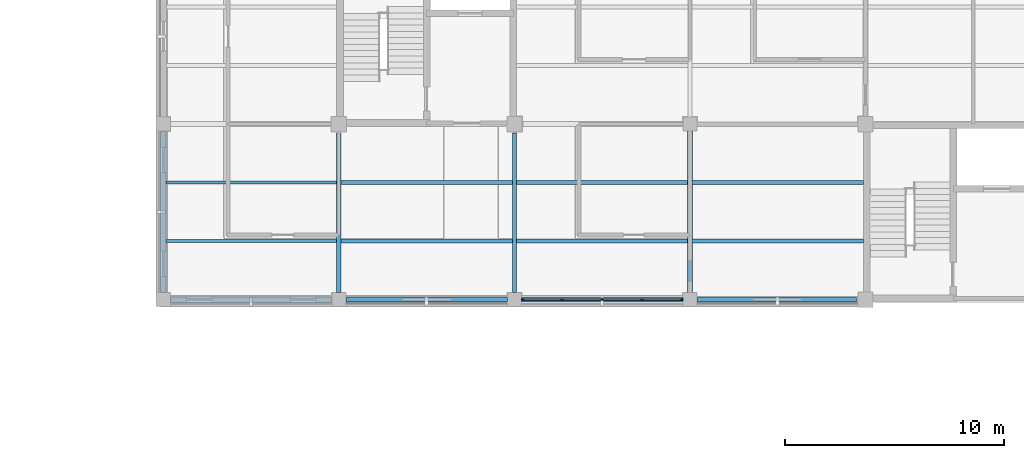
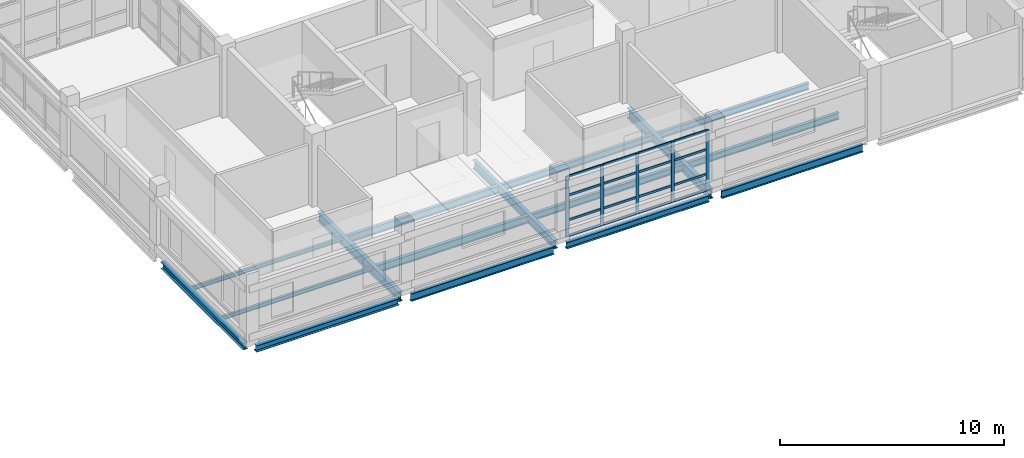
# One storey, part 49 of 107: 21 members, 16 beams, 1 element without a shape of its own.
"""IFC4 building model written with IfcOpenShell, lengths in metres."""

import ifcopenshell
import ifcopenshell.guid

model = None  # the IFC model being written
_history = None  # IfcOwnerHistory: only IFC2X3 demands one
_inside = {}  # id of a spatial element -> (the spatial element, [elements in it])
_under = {}  # id of a project, library or spatial element -> (it, [spatial elements below it])
_declared = {}  # id of a project -> (the project, [libraries it declares])
_typed = {}  # id of a type object -> (the type object, [elements of that type])
_made_of = {}  # id of a material, layer set ... -> (it, [elements and type objects made of it])


def new_model(schema):
    """Start an empty IFC model of exactly this schema.

    Asked for "IFC4X3", IfcOpenShell would pick the latest addendum, in which some entities
    have other attributes; the version numbers below select the first issue.
    IFC2X3 requires an IfcOwnerHistory on every rooted entity: one is made here for all.
    """
    global model, _history
    if schema == "IFC4X3":
        model = ifcopenshell.file(schema_version=(4, 3, 0, 0))
    else:
        model = ifcopenshell.file(schema=schema)
    _inside.clear()
    _under.clear()
    _declared.clear()
    _typed.clear()
    _made_of.clear()
    _history = None
    if model.schema == "IFC2X3":
        org = make("IfcOrganization", Name="unknown")
        user = make(
            "IfcPersonAndOrganization",
            ThePerson=make("IfcPerson", FamilyName="unknown"),
            TheOrganization=org,
        )
        app = make(
            "IfcApplication",
            ApplicationDeveloper=org,
            Version="unknown",
            ApplicationFullName="unknown",
            ApplicationIdentifier="unknown",
        )
        _history = make(
            "IfcOwnerHistory",
            OwningUser=user,
            OwningApplication=app,
            ChangeAction="ADDED",
            CreationDate=0,
        )
    return model


def make(cls, **values):
    """One entity of the class cls with the attributes given. An attribute that is None is left unset."""
    return model.create_entity(
        cls, **{name: value for name, value in values.items() if value is not None}
    )


def rooted(cls, **values):
    """An entity with a GlobalId (a new one), such as an element, a storey or a relation."""
    return make(cls, GlobalId=ifcopenshell.guid.new(), OwnerHistory=_history, **values)


def si_unit(unit_type, name, prefix=None):
    """IfcSIUnit, for example si_unit("LENGTHUNIT", "METRE", prefix="MILLI")."""
    return make("IfcSIUnit", UnitType=unit_type, Prefix=prefix, Name=name)


def derived_unit(unit_type, elements):
    """IfcDerivedUnit: a product of units, each with its exponent."""
    return make(
        "IfcDerivedUnit",
        Elements=[
            make("IfcDerivedUnitElement", Unit=unit, Exponent=power)
            for unit, power in elements
        ],
        UnitType=unit_type,
    )


def assignment(units):
    """IfcUnitAssignment: the units of a project."""
    return None if units is None else make("IfcUnitAssignment", Units=units)


def point(xyz):
    """IfcCartesianPoint."""
    return None if xyz is None else make("IfcCartesianPoint", Coordinates=xyz)


def direction(xyz):
    """IfcDirection."""
    return None if xyz is None else make("IfcDirection", DirectionRatios=xyz)


def frame(location, z_axis=None, x_axis=None):
    """IfcAxis2Placement3D, a coordinate frame: its origin and axes. An axis left out is left unset."""
    return make(
        "IfcAxis2Placement3D",
        Location=point(location),
        Axis=direction(z_axis),
        RefDirection=direction(x_axis),
    )


def frame_2d(location, x_axis=None):
    """IfcAxis2Placement2D, a coordinate frame in the plane: its origin and x axis."""
    return make(
        "IfcAxis2Placement2D", Location=point(location), RefDirection=direction(x_axis)
    )


def origin():
    """The frame at (0, 0, 0) with its axes left unset."""
    return frame((0.0, 0.0, 0.0))


def origin_2d():
    """The frame at (0, 0) in the plane with its x axis left unset."""
    return frame_2d((0.0, 0.0))


def place(relative_to, where):
    """IfcLocalPlacement: puts the frame where relative to a parent placement (None: the world)."""
    return make(
        "IfcLocalPlacement", PlacementRelTo=relative_to, RelativePlacement=where
    )


def context(
    kind, dimensions, precision=None, world=None, true_north=None, identifier=None
):
    """IfcGeometricRepresentationContext, for example the 3D "Model" context."""
    return make(
        "IfcGeometricRepresentationContext",
        ContextIdentifier=identifier,
        ContextType=kind,
        CoordinateSpaceDimension=dimensions,
        Precision=precision,
        WorldCoordinateSystem=world,
        TrueNorth=true_north,
    )


def subcontext(parent, identifier, kind, view, scale=None):
    """IfcGeometricRepresentationSubContext, for example "Body" below "Model"."""
    return make(
        "IfcGeometricRepresentationSubContext",
        ContextIdentifier=identifier,
        ContextType=kind,
        ParentContext=parent,
        TargetScale=scale,
        TargetView=view,
    )


def project(units=None, contexts=None):
    """IfcProject with its units and contexts."""
    return rooted(
        "IfcProject",
        Name="project",
        RepresentationContexts=contexts,
        UnitsInContext=assignment(units),
    )


def spatial(cls, under=None, at=None, **own):
    """A site, building, storey or space (cls), placed at a placement, below another one or the project."""
    s = rooted(cls, ObjectPlacement=at, **own)
    if under is not None:
        _under.setdefault(under.id(), (under, []))[1].append(s)
    return s


def profile(cls, at=None, kind="AREA", **sizes):
    """A parametric profile (cls). Its sizes go by their IFC names, for example OverallWidth=200.0."""
    return make(cls, ProfileType=kind, Position=at, **sizes)


def rectangle(**sizes):
    """IfcRectangleProfileDef."""
    return profile("IfcRectangleProfileDef", **sizes)


def i_section(**sizes):
    """IfcIShapeProfileDef."""
    return profile("IfcIShapeProfileDef", **sizes)


def extrude(swept, where, along, depth):
    """IfcExtrudedAreaSolid: the profile swept, set in the frame where, extruded along a direction by depth."""
    return make(
        "IfcExtrudedAreaSolid",
        SweptArea=swept,
        Position=where,
        ExtrudedDirection=direction(along),
        Depth=depth,
    )


def shape(context_of_items, identifier, shape_type, items):
    """IfcShapeRepresentation: the items that make up one representation, for example the "Body"."""
    return make(
        "IfcShapeRepresentation",
        ContextOfItems=context_of_items,
        RepresentationIdentifier=identifier,
        RepresentationType=shape_type,
        Items=items,
    )


def material(Name=None, Category=None):
    """IfcMaterial."""
    return make("IfcMaterial", Name=Name, Category=Category)


def layer(
    of_material, thickness, ventilated=None, Name=None, Category=None, Priority=None
):
    """IfcMaterialLayer: one layer of a wall or slab, of a material (None: an air gap)."""
    return make(
        "IfcMaterialLayer",
        Material=of_material,
        LayerThickness=thickness,
        IsVentilated=ventilated,
        Name=Name,
        Category=Category,
        Priority=Priority,
    )


def layer_set(layers, Name=None):
    """IfcMaterialLayerSet."""
    return make("IfcMaterialLayerSet", MaterialLayers=layers, LayerSetName=Name)


def material_profile(
    of_material, cross_section, Name=None, Category=None, Priority=None
):
    """IfcMaterialProfile: a cross section and its material."""
    return make(
        "IfcMaterialProfile",
        Name=Name,
        Material=of_material,
        Profile=cross_section,
        Priority=Priority,
        Category=Category,
    )


def profile_set(profiles, Name=None, composite=None):
    """IfcMaterialProfileSet."""
    return make(
        "IfcMaterialProfileSet",
        Name=Name,
        MaterialProfiles=profiles,
        CompositeProfile=composite,
    )


def made_of(thing, what):
    """Note that an element or type object is made of a material, layer set ...; save() writes the relation."""
    if what is not None:
        _made_of.setdefault(what.id(), (what, []))[1].append(thing)
    return thing


def type_object(cls, material=None, **own):
    """A type object (cls), such as IfcWallType, which elements share."""
    return made_of(rooted(cls, **own), material)


def element(
    cls,
    number,
    at=None,
    inside=None,
    cuts=None,
    type_object=None,
    material=None,
    context=None,
    identifier="Body",
    shape_type=None,
    held_by="IfcProductDefinitionShape",
    body=None,
    shapes=None,
    **own,
):
    """One element of the class cls, such as IfcWall. Its Tag is "e" and its number.

    at: its placement. inside: the storey or other place that contains it. cuts: it is an
    opening in that element (IfcRelVoidsElement). A single representation is given by context,
    identifier, shape_type and body (its items); several are given by shapes. held_by: the class
    of the entity that holds the representations. save() writes the other relations.
    """
    e = rooted(cls, Tag="e%d" % number, ObjectPlacement=at, **own)
    if body is not None:
        shapes = [shape(context, identifier, shape_type, body)]
    if shapes is not None:
        e.Representation = make(held_by, Representations=shapes)
    if inside is not None:
        _inside.setdefault(inside.id(), (inside, []))[1].append(e)
    if cuts is not None:
        rooted(
            "IfcRelVoidsElement", RelatingBuildingElement=cuts, RelatedOpeningElement=e
        )
    if type_object is not None:
        _typed.setdefault(type_object.id(), (type_object, []))[1].append(e)
    return made_of(e, material)


def aggregate(whole, parts):
    """IfcRelAggregates: a whole, such as a stair, and the parts it consists of."""
    return rooted("IfcRelAggregates", RelatingObject=whole, RelatedObjects=parts)


def save(model, path):
    """Write the relations noted so far, then the file.

    IfcRelAggregates (storeys below a building ...), IfcRelContainedInSpatialStructure (elements
    in a storey), IfcRelDefinesByType, IfcRelAssociatesMaterial and IfcRelDeclares: one each for
    every whole, place, type object, material and project.
    """
    for whole, parts in _under.values():
        aggregate(whole, parts)
    for where, things in _inside.values():
        rooted(
            "IfcRelContainedInSpatialStructure",
            RelatedElements=things,
            RelatingStructure=where,
        )
    for kind, things in _typed.values():
        rooted("IfcRelDefinesByType", RelatedObjects=things, RelatingType=kind)
    for what, things in _made_of.values():
        rooted("IfcRelAssociatesMaterial", RelatedObjects=things, RelatingMaterial=what)
    for by, libraries in _declared.values():
        rooted("IfcRelDeclares", RelatingContext=by, RelatedDefinitions=libraries)
    model.write(path)


model = new_model("IFC4")

# Units and contexts
model_context = context("Model", 3, precision=1e-05, world=origin(), true_north=direction((0.0, 1.0)))
body_context = subcontext(model_context, "Body", "Model", "MODEL_VIEW")
ifc_project = project(units=[si_unit("LENGTHUNIT", "METRE"), si_unit("AREAUNIT", "SQUARE_METRE"), si_unit("VOLUMEUNIT", "CUBIC_METRE"), si_unit("PLANEANGLEUNIT", "RADIAN"), si_unit("MASSUNIT", "GRAM", prefix="KILO"), derived_unit("THERMALTRANSMITTANCEUNIT", [(si_unit("MASSUNIT", "GRAM", prefix="KILO"), 1), (si_unit("TIMEUNIT", "SECOND"), -3), (si_unit("THERMODYNAMICTEMPERATUREUNIT", "KELVIN"), -1)])], contexts=[model_context])

# Site, building, storey
site_placement = place(None, origin())
site = spatial("IfcSite", under=ifc_project, at=site_placement, CompositionType="ELEMENT")
building_placement = place(site_placement, origin())
building = spatial("IfcBuilding", under=site, at=building_placement, Name="Veyamyaing Civic Hall", CompositionType="ELEMENT")
storey_placement = place(building_placement, frame((0.0, 0.0, 13.860107421875)))
storey = spatial("IfcBuildingStorey", under=building, at=storey_placement, Name="L03", CompositionType="ELEMENT", Elevation=13.860107421875)

# Beams
ifc_material_1 = material(Name="Steel ASTM A992", Category="steel")
ifc_material_profile_1 = material_profile(ifc_material_1, i_section(OverallWidth=0.208984375, OverallDepth=0.532958984375, WebThickness=0.01025390625, FlangeThickness=0.015625, FilletRadius=0.011962890625, at=origin_2d()), Name="W530X92")
ifc_profile_set_1 = profile_set([ifc_material_profile_1], Name="Steel ASTM A992")
beam_type_1 = type_object("IfcBeamType", Name="B-07", PredefinedType="BEAM", material=ifc_profile_set_1)
beam_1_placement = place(storey_placement, frame((136.0, 88.324951171875, -0.521728515625), z_axis=(0.0, 1.0, 0.0), x_axis=(-1.0, 0.0, 0.0)))
element("IfcBeam", 1, at=beam_1_placement, inside=storey, type_object=beam_type_1, Name="Girder B-07 L03 Grid 18 M-N", PredefinedType="BEAM", context=body_context, shape_type="SweptSolid", body=[
    extrude(i_section(OverallWidth=0.208984375, OverallDepth=0.532958984375, WebThickness=0.01025390625, FlangeThickness=0.015625, FilletRadius=0.011962890625, at=origin_2d()), origin(), (0.0, 0.0, 1.0), 7.275146484375),
])
ifc_material_profile_2 = material_profile(ifc_material_1, i_section(OverallWidth=0.19189453125, OverallDepth=0.462890625, WebThickness=0.010498046875, FlangeThickness=0.017578125, FilletRadius=0.010009765625, at=origin_2d()), Name="W460X89")
ifc_profile_set_2 = profile_set([ifc_material_profile_2], Name="Steel ASTM A992")
beam_type_2 = type_object("IfcBeamType", Name="B-08", PredefinedType="BEAM", material=ifc_profile_set_2)
beam_2_placement = place(storey_placement, frame((144.0, 88.324951171875, -0.486572265625), z_axis=(0.0, 1.0, 0.0), x_axis=(-1.0, 0.0, 0.0)))
element("IfcBeam", 2, at=beam_2_placement, inside=storey, type_object=beam_type_2, Name="Girder B-08 L03 Grid 19 M-N", PredefinedType="BEAM", context=body_context, shape_type="SweptSolid", body=[
    extrude(i_section(OverallWidth=0.19189453125, OverallDepth=0.462890625, WebThickness=0.010498046875, FlangeThickness=0.017578125, FilletRadius=0.010009765625, at=origin_2d()), origin(), (0.0, 0.0, 1.0), 7.275146484375),
])
ifc_material_profile_3 = material_profile(ifc_material_1, i_section(OverallWidth=0.179931640625, OverallDepth=0.4130859375, WebThickness=0.009765625, FlangeThickness=0.01611328125, FilletRadius=0.010009765625, at=origin_2d()), Name="W410X74")
ifc_profile_set_3 = profile_set([ifc_material_profile_3], Name="Steel ASTM A992")
beam_type_3 = type_object("IfcBeamType", Name="B-10", PredefinedType="SPANDREL", material=ifc_profile_set_3)
beam_3_placement = place(storey_placement, frame((136.324951171875, 88.0, -0.461669921875), z_axis=(1.0, 0.0, 0.0), x_axis=(0.0, 1.0, 0.0)))
element("IfcBeam", 3, at=beam_3_placement, inside=storey, type_object=beam_type_3, Name="Girder B-10 L03 Grid M 18-19", PredefinedType="SPANDREL", context=body_context, shape_type="SweptSolid", body=[
    extrude(i_section(OverallWidth=0.179931640625, OverallDepth=0.4130859375, WebThickness=0.009765625, FlangeThickness=0.01611328125, FilletRadius=0.010009765625, at=origin_2d()), origin(), (0.0, 0.0, 1.0), 7.35009765625),
])
ifc_material_profile_4 = material_profile(ifc_material_1, i_section(OverallWidth=0.2041015625, OverallDepth=0.35009765625, WebThickness=0.0078125, FlangeThickness=0.01513671875, FilletRadius=0.010009765625, at=origin_2d()), Name="W360X72")
ifc_profile_set_4 = profile_set([ifc_material_profile_4], Name="Steel ASTM A992")
beam_type_4 = type_object("IfcBeamType", Name="B-11", PredefinedType="SPANDREL", material=ifc_profile_set_4)
beam_4_placement = place(storey_placement, frame((144.324951171875, 88.0, -0.43017578125), z_axis=(1.0, 0.0, 0.0), x_axis=(0.0, 1.0, 0.0)))
element("IfcBeam", 4, at=beam_4_placement, inside=storey, type_object=beam_type_4, Name="Girder B-11 L03 Grid M 19-20", PredefinedType="SPANDREL", context=body_context, shape_type="SweptSolid", body=[
    extrude(i_section(OverallWidth=0.2041015625, OverallDepth=0.35009765625, WebThickness=0.0078125, FlangeThickness=0.01513671875, FilletRadius=0.010009765625, at=origin_2d()), origin(), (0.0, 0.0, 1.0), 7.35009765625),
])
ifc_material_profile_5 = material_profile(ifc_material_1, i_section(OverallWidth=0.2109375, OverallDepth=0.5390625, WebThickness=0.01171875, FlangeThickness=0.018798828125, FilletRadius=0.011962890625, at=origin_2d()), Name="W530X109")
ifc_profile_set_5 = profile_set([ifc_material_profile_5], Name="Steel ASTM A992")
beam_type_5 = type_object("IfcBeamType", Name="B-17", PredefinedType="BEAM", material=ifc_profile_set_5)
beam_5_placement = place(storey_placement, frame((152.0, 88.324951171875, -0.524658203125), z_axis=(0.0, 1.0, 0.0), x_axis=(-1.0, 0.0, 0.0)))
element("IfcBeam", 5, at=beam_5_placement, inside=storey, type_object=beam_type_5, Name="Girder B-17 L03 Grid 20 M-N", PredefinedType="BEAM", context=body_context, shape_type="SweptSolid", body=[
    extrude(i_section(OverallWidth=0.2109375, OverallDepth=0.5390625, WebThickness=0.01171875, FlangeThickness=0.018798828125, FilletRadius=0.011962890625, at=origin_2d()), origin(), (0.0, 0.0, 1.0), 7.35009765625),
])
ifc_material_profile_6 = material_profile(ifc_material_1, i_section(OverallWidth=0.180908203125, OverallDepth=0.4169921875, WebThickness=0.010986328125, FlangeThickness=0.018310546875, FilletRadius=0.010009765625, at=origin_2d()), Name="W410X85")
ifc_profile_set_6 = profile_set([ifc_material_profile_6], Name="Steel ASTM A992")
beam_type_6 = type_object("IfcBeamType", Name="B-19", PredefinedType="SPANDREL", material=ifc_profile_set_6)
beam_6_placement = place(storey_placement, frame((152.324951171875, 88.0, -0.463623046875), z_axis=(1.0, 0.0, 0.0), x_axis=(0.0, 1.0, 0.0)))
element("IfcBeam", 6, at=beam_6_placement, inside=storey, type_object=beam_type_6, Name="Girder B-19 L03 Grid M 20-21", PredefinedType="SPANDREL", context=body_context, shape_type="SweptSolid", body=[
    extrude(i_section(OverallWidth=0.180908203125, OverallDepth=0.4169921875, WebThickness=0.010986328125, FlangeThickness=0.018310546875, FilletRadius=0.010009765625, at=origin_2d()), origin(), (0.0, 0.0, 1.0), 7.275146484375),
])
ifc_material_profile_7 = material_profile(ifc_material_1, i_section(OverallWidth=0.25390625, OverallDepth=0.35302734375, WebThickness=0.009521484375, FlangeThickness=0.016357421875, FilletRadius=0.011962890625, at=origin_2d()), Name="W360X91")
ifc_profile_set_7 = profile_set([ifc_material_profile_7], Name="Steel ASTM A992")
beam_type_7 = type_object("IfcBeamType", Name="B-20", PredefinedType="SPANDREL", material=ifc_profile_set_7)
for number, where, z_axis, x_axis, name in (
    (7, (128.324951171875, 88.0, -0.431640625), (1.0, 0.0, 0.0), (0.0, 1.0, 0.0), "Girder B-20 L03 Grid M 17-18"),
    (8, (128.0, 88.324951171875, -0.431640625), (0.0, 1.0, 0.0), (-1.0, 0.0, 0.0), "Girder B-20 L03 Grid 17 M-N"),
):
    element("IfcBeam", number, at=place(storey_placement, frame(where, z_axis=z_axis, x_axis=x_axis)), inside=storey, type_object=beam_type_7, Name=name, PredefinedType="SPANDREL", context=body_context, shape_type="SweptSolid", body=[
        extrude(i_section(OverallWidth=0.25390625, OverallDepth=0.35302734375, WebThickness=0.009521484375, FlangeThickness=0.016357421875, FilletRadius=0.011962890625, at=origin_2d()), origin(), (0.0, 0.0, 1.0), 7.35009765625),
    ])

# Curtain wall, members
ifc_material_2 = material(Name="Anodised aluminium 6063-T6", Category="aluminium")
ifc_layer = layer(ifc_material_2, 0.159912109375, Name="Anodised aluminium 6063-T6")
ifc_layer_set = layer_set([ifc_layer], Name="Anodised aluminium 6063-T6")
curtain_wall_type = type_object("IfcCurtainWallType", Name="CW-07", PredefinedType="NOTDEFINED", material=ifc_layer_set)
curtain_wall_placement = place(storey_placement, origin())
curtain_wall = element("IfcCurtainWall", 9, at=curtain_wall_placement, inside=storey, type_object=curtain_wall_type, Name="Unitized curtain wall CW-07 L03 S 19.12", PredefinedType="NOTDEFINED")
ifc_material_profile_8 = material_profile(ifc_material_2, rectangle(XDim=0.06494140625, YDim=0.159912109375, at=origin_2d()), Name="ALU-MUL-65X160")
ifc_profile_set_8 = profile_set([ifc_material_profile_8], Name="Anodised aluminium 6063-T6")
member_type_1 = type_object("IfcMemberType", Name="CWM-01", PredefinedType="MULLION", material=ifc_profile_set_8)
member_1_placement = place(storey_placement, frame((144.387451171875, 88.0, 0.0), z_axis=(0.0, 0.0, 1.0), x_axis=(0.0, 1.0, 0.0)))
member_1 = element("IfcMember", 10, at=member_1_placement, type_object=member_type_1, Name="CW-07 mullion 1", PredefinedType="MULLION", context=body_context, shape_type="SweptSolid", body=[
    extrude(rectangle(XDim=0.06494140625, YDim=0.159912109375, at=origin_2d()), origin(), (0.0, 0.0, 1.0), 3.2998046875),
])
member_2_placement = place(storey_placement, frame((146.177490234375, 88.0, 0.0), z_axis=(0.0, 0.0, 1.0), x_axis=(0.0, 1.0, 0.0)))
member_2 = element("IfcMember", 11, at=member_2_placement, type_object=member_type_1, Name="CW-07 mullion 2", PredefinedType="MULLION", context=body_context, shape_type="SweptSolid", body=[
    extrude(rectangle(XDim=0.06494140625, YDim=0.159912109375, at=origin_2d()), origin(), (0.0, 0.0, 1.0), 3.2998046875),
])
member_3_placement = place(storey_placement, frame((148.0, 88.0, 0.0), z_axis=(0.0, 0.0, 1.0), x_axis=(0.0, 1.0, 0.0)))
member_3 = element("IfcMember", 12, at=member_3_placement, type_object=member_type_1, Name="CW-07 mullion 3", PredefinedType="MULLION", context=body_context, shape_type="SweptSolid", body=[
    extrude(rectangle(XDim=0.06494140625, YDim=0.159912109375, at=origin_2d()), origin(), (0.0, 0.0, 1.0), 3.2998046875),
])
member_4_placement = place(storey_placement, frame((149.822509765625, 88.0, 0.0), z_axis=(0.0, 0.0, 1.0), x_axis=(0.0, 1.0, 0.0)))
member_4 = element("IfcMember", 13, at=member_4_placement, type_object=member_type_1, Name="CW-07 mullion 4", PredefinedType="MULLION", context=body_context, shape_type="SweptSolid", body=[
    extrude(rectangle(XDim=0.06494140625, YDim=0.159912109375, at=origin_2d()), origin(), (0.0, 0.0, 1.0), 3.2998046875),
])
member_5_placement = place(storey_placement, frame((151.612548828125, 88.0, 0.0), z_axis=(0.0, 0.0, 1.0), x_axis=(0.0, 1.0, 0.0)))
member_5 = element("IfcMember", 14, at=member_5_placement, type_object=member_type_1, Name="CW-07 mullion 5", PredefinedType="MULLION", context=body_context, shape_type="SweptSolid", body=[
    extrude(rectangle(XDim=0.06494140625, YDim=0.159912109375, at=origin_2d()), origin(), (0.0, 0.0, 1.0), 3.2998046875),
])
ifc_material_profile_9 = material_profile(ifc_material_2, rectangle(XDim=0.06494140625, YDim=0.1201171875, at=origin_2d()), Name="ALU-TRN-65X120")
ifc_profile_set_9 = profile_set([ifc_material_profile_9], Name="Anodised aluminium 6063-T6")
member_type_2 = type_object("IfcMemberType", Name="CWT-01", PredefinedType="USERDEFINED", material=ifc_profile_set_9)
member_6_placement = place(storey_placement, frame((144.419921875, 88.0, 0.032470703125), z_axis=(1.0, 0.0, 0.0), x_axis=(0.0, 1.0, 0.0)))
member_6 = element("IfcMember", 15, at=member_6_placement, type_object=member_type_2, Name="CW-07 transom 1.1", ObjectType="TRANSOM", PredefinedType="USERDEFINED", context=body_context, shape_type="SweptSolid", body=[
    extrude(rectangle(XDim=0.06494140625, YDim=0.1201171875, at=origin_2d()), origin(), (0.0, 0.0, 1.0), 1.72509765625),
])
member_7_placement = place(storey_placement, frame((144.419921875, 88.0, 0.89990234375), z_axis=(1.0, 0.0, 0.0), x_axis=(0.0, 1.0, 0.0)))
member_7 = element("IfcMember", 16, at=member_7_placement, type_object=member_type_2, Name="CW-07 transom 1.2", ObjectType="TRANSOM", PredefinedType="USERDEFINED", context=body_context, shape_type="SweptSolid", body=[
    extrude(rectangle(XDim=0.06494140625, YDim=0.1201171875, at=origin_2d()), origin(), (0.0, 0.0, 1.0), 1.72509765625),
])
member_8_placement = place(storey_placement, frame((144.419921875, 88.0, 2.243896484375), z_axis=(1.0, 0.0, 0.0), x_axis=(0.0, 1.0, 0.0)))
member_8 = element("IfcMember", 17, at=member_8_placement, type_object=member_type_2, Name="CW-07 transom 1.3", ObjectType="TRANSOM", PredefinedType="USERDEFINED", context=body_context, shape_type="SweptSolid", body=[
    extrude(rectangle(XDim=0.06494140625, YDim=0.1201171875, at=origin_2d()), origin(), (0.0, 0.0, 1.0), 1.72509765625),
])
member_9_placement = place(storey_placement, frame((144.419921875, 88.0, 3.267333984375), z_axis=(1.0, 0.0, 0.0), x_axis=(0.0, 1.0, 0.0)))
member_9 = element("IfcMember", 18, at=member_9_placement, type_object=member_type_2, Name="CW-07 transom 1.4", ObjectType="TRANSOM", PredefinedType="USERDEFINED", context=body_context, shape_type="SweptSolid", body=[
    extrude(rectangle(XDim=0.06494140625, YDim=0.1201171875, at=origin_2d()), origin(), (0.0, 0.0, 1.0), 1.72509765625),
])
member_10_placement = place(storey_placement, frame((146.2099609375, 88.0, 0.032470703125), z_axis=(1.0, 0.0, 0.0), x_axis=(0.0, 1.0, 0.0)))
member_10 = element("IfcMember", 19, at=member_10_placement, type_object=member_type_2, Name="CW-07 transom 2.1", ObjectType="TRANSOM", PredefinedType="USERDEFINED", context=body_context, shape_type="SweptSolid", body=[
    extrude(rectangle(XDim=0.06494140625, YDim=0.1201171875, at=origin_2d()), origin(), (0.0, 0.0, 1.0), 1.757568359375),
])
member_11_placement = place(storey_placement, frame((146.2099609375, 88.0, 0.89990234375), z_axis=(1.0, 0.0, 0.0), x_axis=(0.0, 1.0, 0.0)))
member_11 = element("IfcMember", 20, at=member_11_placement, type_object=member_type_2, Name="CW-07 transom 2.2", ObjectType="TRANSOM", PredefinedType="USERDEFINED", context=body_context, shape_type="SweptSolid", body=[
    extrude(rectangle(XDim=0.06494140625, YDim=0.1201171875, at=origin_2d()), origin(), (0.0, 0.0, 1.0), 1.757568359375),
])
member_12_placement = place(storey_placement, frame((146.2099609375, 88.0, 2.243896484375), z_axis=(1.0, 0.0, 0.0), x_axis=(0.0, 1.0, 0.0)))
member_12 = element("IfcMember", 21, at=member_12_placement, type_object=member_type_2, Name="CW-07 transom 2.3", ObjectType="TRANSOM", PredefinedType="USERDEFINED", context=body_context, shape_type="SweptSolid", body=[
    extrude(rectangle(XDim=0.06494140625, YDim=0.1201171875, at=origin_2d()), origin(), (0.0, 0.0, 1.0), 1.757568359375),
])
member_13_placement = place(storey_placement, frame((146.2099609375, 88.0, 3.267333984375), z_axis=(1.0, 0.0, 0.0), x_axis=(0.0, 1.0, 0.0)))
member_13 = element("IfcMember", 22, at=member_13_placement, type_object=member_type_2, Name="CW-07 transom 2.4", ObjectType="TRANSOM", PredefinedType="USERDEFINED", context=body_context, shape_type="SweptSolid", body=[
    extrude(rectangle(XDim=0.06494140625, YDim=0.1201171875, at=origin_2d()), origin(), (0.0, 0.0, 1.0), 1.757568359375),
])
member_14_placement = place(storey_placement, frame((148.032470703125, 88.0, 0.032470703125), z_axis=(1.0, 0.0, 0.0), x_axis=(0.0, 1.0, 0.0)))
member_14 = element("IfcMember", 23, at=member_14_placement, type_object=member_type_2, Name="CW-07 transom 3.1", ObjectType="TRANSOM", PredefinedType="USERDEFINED", context=body_context, shape_type="SweptSolid", body=[
    extrude(rectangle(XDim=0.06494140625, YDim=0.1201171875, at=origin_2d()), origin(), (0.0, 0.0, 1.0), 1.757568359375),
])
member_15_placement = place(storey_placement, frame((148.032470703125, 88.0, 0.89990234375), z_axis=(1.0, 0.0, 0.0), x_axis=(0.0, 1.0, 0.0)))
member_15 = element("IfcMember", 24, at=member_15_placement, type_object=member_type_2, Name="CW-07 transom 3.2", ObjectType="TRANSOM", PredefinedType="USERDEFINED", context=body_context, shape_type="SweptSolid", body=[
    extrude(rectangle(XDim=0.06494140625, YDim=0.1201171875, at=origin_2d()), origin(), (0.0, 0.0, 1.0), 1.757568359375),
])
member_16_placement = place(storey_placement, frame((148.032470703125, 88.0, 2.243896484375), z_axis=(1.0, 0.0, 0.0), x_axis=(0.0, 1.0, 0.0)))
member_16 = element("IfcMember", 25, at=member_16_placement, type_object=member_type_2, Name="CW-07 transom 3.3", ObjectType="TRANSOM", PredefinedType="USERDEFINED", context=body_context, shape_type="SweptSolid", body=[
    extrude(rectangle(XDim=0.06494140625, YDim=0.1201171875, at=origin_2d()), origin(), (0.0, 0.0, 1.0), 1.757568359375),
])
member_17_placement = place(storey_placement, frame((148.032470703125, 88.0, 3.267333984375), z_axis=(1.0, 0.0, 0.0), x_axis=(0.0, 1.0, 0.0)))
member_17 = element("IfcMember", 26, at=member_17_placement, type_object=member_type_2, Name="CW-07 transom 3.4", ObjectType="TRANSOM", PredefinedType="USERDEFINED", context=body_context, shape_type="SweptSolid", body=[
    extrude(rectangle(XDim=0.06494140625, YDim=0.1201171875, at=origin_2d()), origin(), (0.0, 0.0, 1.0), 1.757568359375),
])
member_18_placement = place(storey_placement, frame((149.85498046875, 88.0, 0.032470703125), z_axis=(1.0, 0.0, 0.0), x_axis=(0.0, 1.0, 0.0)))
member_18 = element("IfcMember", 27, at=member_18_placement, type_object=member_type_2, Name="CW-07 transom 4.1", ObjectType="TRANSOM", PredefinedType="USERDEFINED", context=body_context, shape_type="SweptSolid", body=[
    extrude(rectangle(XDim=0.06494140625, YDim=0.1201171875, at=origin_2d()), origin(), (0.0, 0.0, 1.0), 1.72509765625),
])
member_19_placement = place(storey_placement, frame((149.85498046875, 88.0, 0.89990234375), z_axis=(1.0, 0.0, 0.0), x_axis=(0.0, 1.0, 0.0)))
member_19 = element("IfcMember", 28, at=member_19_placement, type_object=member_type_2, Name="CW-07 transom 4.2", ObjectType="TRANSOM", PredefinedType="USERDEFINED", context=body_context, shape_type="SweptSolid", body=[
    extrude(rectangle(XDim=0.06494140625, YDim=0.1201171875, at=origin_2d()), origin(), (0.0, 0.0, 1.0), 1.72509765625),
])
member_20_placement = place(storey_placement, frame((149.85498046875, 88.0, 2.243896484375), z_axis=(1.0, 0.0, 0.0), x_axis=(0.0, 1.0, 0.0)))
member_20 = element("IfcMember", 29, at=member_20_placement, type_object=member_type_2, Name="CW-07 transom 4.3", ObjectType="TRANSOM", PredefinedType="USERDEFINED", context=body_context, shape_type="SweptSolid", body=[
    extrude(rectangle(XDim=0.06494140625, YDim=0.1201171875, at=origin_2d()), origin(), (0.0, 0.0, 1.0), 1.72509765625),
])
member_21_placement = place(storey_placement, frame((149.85498046875, 88.0, 3.267333984375), z_axis=(1.0, 0.0, 0.0), x_axis=(0.0, 1.0, 0.0)))
member_21 = element("IfcMember", 30, at=member_21_placement, type_object=member_type_2, Name="CW-07 transom 4.4", ObjectType="TRANSOM", PredefinedType="USERDEFINED", context=body_context, shape_type="SweptSolid", body=[
    extrude(rectangle(XDim=0.06494140625, YDim=0.1201171875, at=origin_2d()), origin(), (0.0, 0.0, 1.0), 1.72509765625),
])
aggregate(curtain_wall, [member_1, member_2, member_3, member_4, member_5, member_6, member_7, member_8, member_9, member_10, member_11, member_12, member_13, member_14, member_15, member_16, member_17, member_18, member_19, member_20, member_21])

# Beams
ifc_material_profile_10 = material_profile(ifc_material_1, i_section(OverallWidth=0.177978515625, OverallDepth=0.406982421875, WebThickness=0.0078125, FlangeThickness=0.0126953125, FilletRadius=0.010009765625, at=origin_2d()), Name="W410X60")
ifc_profile_set_10 = profile_set([ifc_material_profile_10], Name="Steel ASTM A992")
beam_type_8 = type_object("IfcBeamType", Name="J-01", PredefinedType="JOIST", material=ifc_profile_set_10)
for number, where, z_axis, x_axis, name in (
    (31, (136.1025390625, 90.666748046875, -0.45849609375), (1.0, 0.0, 0.0), (0.0, 1.0, 0.0), "Composite floor joist J-01 L03 18.12.1"),
    (32, (136.1025390625, 93.333251953125, -0.45849609375), (1.0, 0.0, 0.0), (0.0, 1.0, 0.0), "Composite floor joist J-01 L03 18.12.2"),
):
    element("IfcBeam", number, at=place(storey_placement, frame(where, z_axis=z_axis, x_axis=x_axis)), inside=storey, type_object=beam_type_8, Name=name, PredefinedType="JOIST", context=body_context, shape_type="SweptSolid", body=[
        extrude(i_section(OverallWidth=0.177978515625, OverallDepth=0.406982421875, WebThickness=0.0078125, FlangeThickness=0.0126953125, FilletRadius=0.010009765625, at=origin_2d()), origin(), (0.0, 0.0, 1.0), 7.803466796875),
    ])
ifc_material_profile_11 = material_profile(ifc_material_1, i_section(OverallWidth=0.172119140625, OverallDepth=0.35791015625, WebThickness=0.0078125, FlangeThickness=0.01318359375, FilletRadius=0.010009765625, at=origin_2d()), Name="W360X57")
ifc_profile_set_11 = profile_set([ifc_material_profile_11], Name="Steel ASTM A992")
beam_type_9 = type_object("IfcBeamType", Name="J-02", PredefinedType="JOIST", material=ifc_profile_set_11)
for number, where, z_axis, x_axis, name in (
    (33, (144.093994140625, 90.666748046875, -0.43408203125), (1.0, 0.0, 0.0), (0.0, 1.0, 0.0), "Composite floor joist J-02 L03 19.12.1"),
    (34, (144.093994140625, 93.333251953125, -0.43408203125), (1.0, 0.0, 0.0), (0.0, 1.0, 0.0), "Composite floor joist J-02 L03 19.12.2"),
):
    element("IfcBeam", number, at=place(storey_placement, frame(where, z_axis=z_axis, x_axis=x_axis)), inside=storey, type_object=beam_type_9, Name=name, PredefinedType="JOIST", context=body_context, shape_type="SweptSolid", body=[
        extrude(i_section(OverallWidth=0.172119140625, OverallDepth=0.35791015625, WebThickness=0.0078125, FlangeThickness=0.01318359375, FilletRadius=0.010009765625, at=origin_2d()), origin(), (0.0, 0.0, 1.0), 7.802490234375),
    ])
ifc_material_profile_12 = material_profile(ifc_material_1, i_section(OverallWidth=0.1708984375, OverallDepth=0.35205078125, WebThickness=0.0068359375, FlangeThickness=0.009765625, FilletRadius=0.010009765625, at=origin_2d()), Name="W360X44")
ifc_profile_set_12 = profile_set([ifc_material_profile_12], Name="Steel ASTM A992")
beam_type_10 = type_object("IfcBeamType", Name="J-03", PredefinedType="JOIST", material=ifc_profile_set_12)
for number, where, z_axis, x_axis, name in (
    (35, (152.103515625, 90.666748046875, -0.43115234375), (1.0, 0.0, 0.0), (0.0, 1.0, 0.0), "Composite floor joist J-03 L03 20.12.1"),
    (36, (152.103515625, 93.333251953125, -0.43115234375), (1.0, 0.0, 0.0), (0.0, 1.0, 0.0), "Composite floor joist J-03 L03 20.12.2"),
):
    element("IfcBeam", number, at=place(storey_placement, frame(where, z_axis=z_axis, x_axis=x_axis)), inside=storey, type_object=beam_type_10, Name=name, PredefinedType="JOIST", context=body_context, shape_type="SweptSolid", body=[
        extrude(i_section(OverallWidth=0.1708984375, OverallDepth=0.35205078125, WebThickness=0.0068359375, FlangeThickness=0.009765625, FilletRadius=0.010009765625, at=origin_2d()), origin(), (0.0, 0.0, 1.0), 7.801513671875),
    ])
ifc_material_profile_13 = material_profile(ifc_material_1, i_section(OverallWidth=0.133056640625, OverallDepth=0.20703125, WebThickness=0.005859375, FlangeThickness=0.00830078125, FilletRadius=0.010009765625, at=origin_2d()), Name="W200X27")
ifc_profile_set_13 = profile_set([ifc_material_profile_13], Name="Steel ASTM A992")
beam_type_11 = type_object("IfcBeamType", Name="J-08", PredefinedType="JOIST", material=ifc_profile_set_13)
for number, where, z_axis, x_axis, name in (
    (37, (128.125, 90.666748046875, -0.358642578125), (1.0, 0.0, 0.0), (0.0, 1.0, 0.0), "Composite floor joist J-08 L03 17.12.1"),
    (38, (128.125, 93.333251953125, -0.358642578125), (1.0, 0.0, 0.0), (0.0, 1.0, 0.0), "Composite floor joist J-08 L03 17.12.2"),
):
    element("IfcBeam", number, at=place(storey_placement, frame(where, z_axis=z_axis, x_axis=x_axis)), inside=storey, type_object=beam_type_11, Name=name, PredefinedType="JOIST", context=body_context, shape_type="SweptSolid", body=[
        extrude(i_section(OverallWidth=0.133056640625, OverallDepth=0.20703125, WebThickness=0.005859375, FlangeThickness=0.00830078125, FilletRadius=0.010009765625, at=origin_2d()), origin(), (0.0, 0.0, 1.0), 7.7724609375),
    ])

save(model, "model.ifc")
